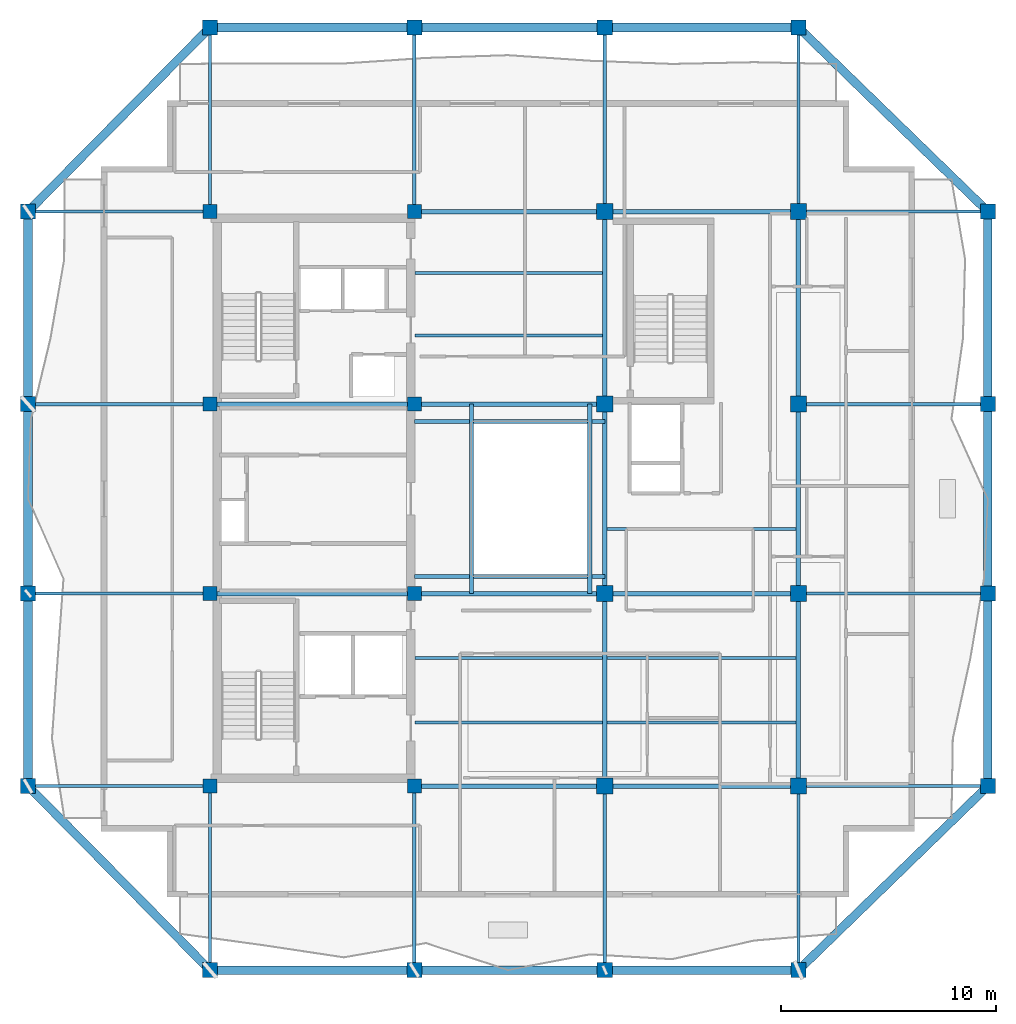
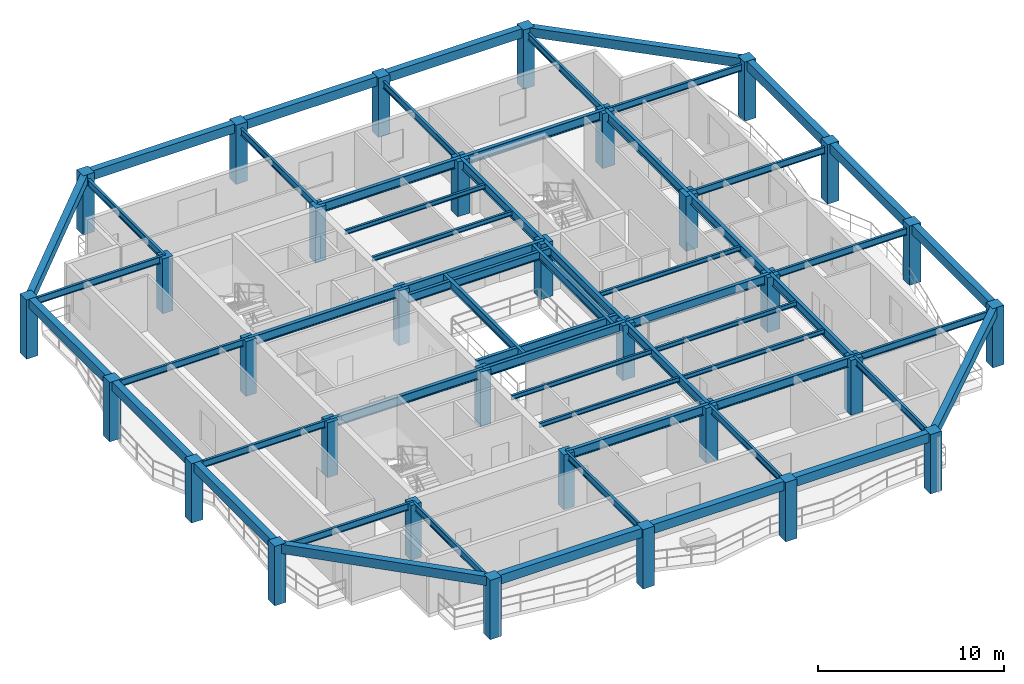
# One storey, part 1 of 10: 58 beams, 32 columns.
"""IFC4 building model written with IfcOpenShell, lengths in metres."""

from ifc_helpers import new_model, si_unit, direction, frame, origin, origin_2d, place, context, subcontext, project, spatial, rectangle, i_section, extrude, material, material_profile, profile_set, type_object, element, save


model = new_model("IFC4")

# Units and contexts
model_context = context("Model", 3, precision=1e-05, world=origin(), true_north=direction((0.0, 1.0)))
body_context = subcontext(model_context, "Body", "Model", "MODEL_VIEW")
ifc_project = project(units=[si_unit("LENGTHUNIT", "METRE"), si_unit("AREAUNIT", "SQUARE_METRE"), si_unit("VOLUMEUNIT", "CUBIC_METRE"), si_unit("PLANEANGLEUNIT", "RADIAN"), si_unit("MASSUNIT", "GRAM", prefix="KILO")], contexts=[model_context])

# Site, building, storey
site_placement = place(None, origin())
site = spatial("IfcSite", under=ifc_project, at=site_placement, CompositionType="ELEMENT")
building_placement = place(site_placement, origin())
building = spatial("IfcBuilding", under=site, at=building_placement, Name="Kundavana Baori Tower", CompositionType="ELEMENT")
storey_placement = place(building_placement, frame((0.0, 0.0, 303.800048828125)))
storey = spatial("IfcBuildingStorey", under=building, at=storey_placement, Name="L75", CompositionType="ELEMENT", Elevation=303.800048828125)

# Columns
ifc_material_1 = material(Name="Concrete C50/60", Category="concrete")
ifc_material_profile_1 = material_profile(ifc_material_1, rectangle(XDim=0.699951171875, YDim=0.699951171875, at=origin_2d()), Name="RC PF 700x700")
ifc_profile_set_1 = profile_set([ifc_material_profile_1], Name="Concrete C50/60")
column_type_1 = type_object("IfcColumnType", Name="COL-PF-700", PredefinedType="COLUMN", material=ifc_profile_set_1)
for number, where, z_axis, x_axis, name in (
    (1, (15.449951171875, 6.699951171875, 0.0), (0.0, 0.0, 1.0), (1.0, 0.0, 0.0), "L75 Stone-Clad Perimeter Frame Column PF-S1"),
    (2, (15.449951171875, 50.5, 0.0), (0.0, 0.0, 1.0), (1.0, 0.0, 0.0), "L75 Stone-Clad Perimeter Frame Column PF-N1"),
    (3, (24.949951171875, 6.699951171875, 0.0), (0.0, 0.0, 1.0), (1.0, 0.0, 0.0), "L75 Stone-Clad Perimeter Frame Column PF-S2"),
    (4, (24.949951171875, 50.5, 0.0), (0.0, 0.0, 1.0), (1.0, 0.0, 0.0), "L75 Stone-Clad Perimeter Frame Column PF-N2"),
    (5, (33.800048828125, 6.699951171875, 0.0), (0.0, 0.0, 1.0), (1.0, 0.0, 0.0), "L75 Stone-Clad Perimeter Frame Column PF-S3"),
    (6, (33.800048828125, 50.5, 0.0), (0.0, 0.0, 1.0), (1.0, 0.0, 0.0), "L75 Stone-Clad Perimeter Frame Column PF-N3"),
    (7, (42.800048828125, 6.699951171875, 0.0), (0.0, 0.0, 1.0), (1.0, 0.0, 0.0), "L75 Stone-Clad Perimeter Frame Column PF-S4"),
    (8, (42.800048828125, 50.5, 0.0), (0.0, 0.0, 1.0), (1.0, 0.0, 0.0), "L75 Stone-Clad Perimeter Frame Column PF-N4"),
    (9, (7.0, 15.25, 0.0), (0.0, 0.0, 1.0), (1.0, 0.0, 0.0), "L75 Stone-Clad Perimeter Frame Column PF-W1"),
    (10, (51.60009765625, 15.25, 0.0), (0.0, 0.0, 1.0), (1.0, 0.0, 0.0), "L75 Stone-Clad Perimeter Frame Column PF-E1"),
    (11, (7.0, 24.199951171875, 0.0), (0.0, 0.0, 1.0), (1.0, 0.0, 0.0), "L75 Stone-Clad Perimeter Frame Column PF-W2"),
    (12, (51.60009765625, 24.199951171875, 0.0), (0.0, 0.0, 1.0), (1.0, 0.0, 0.0), "L75 Stone-Clad Perimeter Frame Column PF-E2"),
    (13, (7.0, 33.0, 0.0), (0.0, 0.0, 1.0), (1.0, 0.0, 0.0), "L75 Stone-Clad Perimeter Frame Column PF-W3"),
    (14, (51.60009765625, 33.0, 0.0), (0.0, 0.0, 1.0), (1.0, 0.0, 0.0), "L75 Stone-Clad Perimeter Frame Column PF-E3"),
    (15, (7.0, 41.949951171875, 0.0), (0.0, 0.0, 1.0), (1.0, 0.0, 0.0), "L75 Stone-Clad Perimeter Frame Column PF-W4"),
    (16, (51.60009765625, 41.949951171875, 0.0), (0.0, 0.0, 1.0), (1.0, 0.0, 0.0), "L75 Stone-Clad Perimeter Frame Column PF-E4"),
):
    element("IfcColumn", number, at=place(storey_placement, frame(where, z_axis=z_axis, x_axis=x_axis)), inside=storey, type_object=column_type_1, Name=name, PredefinedType="COLUMN", context=body_context, shape_type="SweptSolid", body=[
        extrude(rectangle(XDim=0.699951171875, YDim=0.699951171875, at=origin_2d()), origin(), (0.0, 0.0, 1.0), 3.89990234375),
    ])
ifc_material_2 = material(Name="Concrete C50/60", Category="concrete")
ifc_material_profile_2 = material_profile(ifc_material_2, rectangle(XDim=0.64990234375, YDim=0.64990234375, at=origin_2d()), Name="RC 650x650")
ifc_profile_set_2 = profile_set([ifc_material_profile_2], Name="Concrete C50/60")
column_type_2 = type_object("IfcColumnType", Name="COL-RC-650", PredefinedType="COLUMN", material=ifc_profile_set_2)
for number, where, z_axis, x_axis, name in (
    (17, (15.449951171875, 15.25, 0.0), (0.0, 0.0, 1.0), (1.0, 0.0, 0.0), "L75 Interior Column IC-3C"),
    (18, (15.449951171875, 24.199951171875, 0.0), (0.0, 0.0, 1.0), (1.0, 0.0, 0.0), "L75 Interior Column IC-3D"),
    (19, (15.449951171875, 33.0, 0.0), (0.0, 0.0, 1.0), (1.0, 0.0, 0.0), "L75 Interior Column IC-3E"),
    (20, (15.449951171875, 41.949951171875, 0.0), (0.0, 0.0, 1.0), (1.0, 0.0, 0.0), "L75 Interior Column IC-3F"),
    (21, (24.949951171875, 15.25, 0.0), (0.0, 0.0, 1.0), (1.0, 0.0, 0.0), "L75 Interior Column IC-4C"),
    (22, (24.949951171875, 24.199951171875, 0.0), (0.0, 0.0, 1.0), (1.0, 0.0, 0.0), "L75 Interior Column IC-4D"),
    (23, (24.949951171875, 33.0, 0.0), (0.0, 0.0, 1.0), (1.0, 0.0, 0.0), "L75 Interior Column IC-4E"),
    (24, (24.949951171875, 41.949951171875, 0.0), (0.0, 0.0, 1.0), (1.0, 0.0, 0.0), "L75 Interior Column IC-4F"),
):
    element("IfcColumn", number, at=place(storey_placement, frame(where, z_axis=z_axis, x_axis=x_axis)), inside=storey, type_object=column_type_2, Name=name, PredefinedType="COLUMN", context=body_context, shape_type="SweptSolid", body=[
        extrude(rectangle(XDim=0.64990234375, YDim=0.64990234375, at=origin_2d()), origin(), (0.0, 0.0, 1.0), 3.599853515625),
    ])
ifc_material_3 = material(Name="Concrete C50/60", Category="concrete")
ifc_material_profile_3 = material_profile(ifc_material_3, rectangle(XDim=0.75, YDim=0.75, at=origin_2d()), Name="RC 750x750")
ifc_profile_set_3 = profile_set([ifc_material_profile_3], Name="Concrete C50/60")
column_type_3 = type_object("IfcColumnType", Name="COL-RC-750", PredefinedType="COLUMN", material=ifc_profile_set_3)
for number, where, z_axis, x_axis, name in (
    (25, (33.800048828125, 15.25, 0.0), (0.0, 0.0, 1.0), (1.0, 0.0, 0.0), "L75 Interior Column IC-5C"),
    (26, (33.800048828125, 24.199951171875, 0.0), (0.0, 0.0, 1.0), (1.0, 0.0, 0.0), "L75 Interior Column IC-5D"),
    (27, (33.800048828125, 33.0, 0.0), (0.0, 0.0, 1.0), (1.0, 0.0, 0.0), "L75 Interior Column IC-5E"),
    (28, (33.800048828125, 41.949951171875, 0.0), (0.0, 0.0, 1.0), (1.0, 0.0, 0.0), "L75 Interior Column IC-5F"),
    (29, (42.800048828125, 15.25, 0.0), (0.0, 0.0, 1.0), (1.0, 0.0, 0.0), "L75 Interior Column IC-6C"),
    (30, (42.800048828125, 24.199951171875, 0.0), (0.0, 0.0, 1.0), (1.0, 0.0, 0.0), "L75 Interior Column IC-6D"),
    (31, (42.800048828125, 33.0, 0.0), (0.0, 0.0, 1.0), (1.0, 0.0, 0.0), "L75 Interior Column IC-6E"),
    (32, (42.800048828125, 41.949951171875, 0.0), (0.0, 0.0, 1.0), (1.0, 0.0, 0.0), "L75 Interior Column IC-6F"),
):
    element("IfcColumn", number, at=place(storey_placement, frame(where, z_axis=z_axis, x_axis=x_axis)), inside=storey, type_object=column_type_3, Name=name, PredefinedType="COLUMN", context=body_context, shape_type="SweptSolid", body=[
        extrude(rectangle(XDim=0.75, YDim=0.75, at=origin_2d()), origin(), (0.0, 0.0, 1.0), 3.599853515625),
    ])

# Beams
ifc_material_4 = material(Name="Concrete C50/60", Category="concrete")
ifc_material_profile_4 = material_profile(ifc_material_4, rectangle(XDim=0.39990234375, YDim=0.60009765625, at=origin_2d()), Name="RC BM 400x600")
ifc_profile_set_4 = profile_set([ifc_material_profile_4], Name="Concrete C50/60")
beam_type_1 = type_object("IfcBeamType", Name="BM-PF-600", PredefinedType="SPANDREL", material=ifc_profile_set_4)
beam_1_placement = place(storey_placement, frame((15.449951171875, 6.699951171875, 3.599853515625), z_axis=(1.0, 0.0, 0.0), x_axis=(0.0, 1.0, 0.0)))
element("IfcBeam", 33, at=beam_1_placement, inside=storey, type_object=beam_type_1, Name="L75 Perimeter Frame Ring Beam S1", PredefinedType="SPANDREL", context=body_context, shape_type="SweptSolid", body=[
    extrude(rectangle(XDim=0.39990234375, YDim=0.60009765625, at=origin_2d()), origin(), (0.0, 0.0, 1.0), 9.5),
])
beam_2_placement = place(storey_placement, frame((24.949951171875, 6.699951171875, 3.599853515625), z_axis=(1.0, 0.0, 0.0), x_axis=(0.0, 1.0, 0.0)))
element("IfcBeam", 34, at=beam_2_placement, inside=storey, type_object=beam_type_1, Name="L75 Perimeter Frame Ring Beam S2", PredefinedType="SPANDREL", context=body_context, shape_type="SweptSolid", body=[
    extrude(rectangle(XDim=0.39990234375, YDim=0.60009765625, at=origin_2d()), origin(), (0.0, 0.0, 1.0), 8.85009765625),
])
beam_3_placement = place(storey_placement, frame((33.800048828125, 6.699951171875, 3.599853515625), z_axis=(1.0, 0.0, 0.0), x_axis=(0.0, 1.0, 0.0)))
element("IfcBeam", 35, at=beam_3_placement, inside=storey, type_object=beam_type_1, Name="L75 Perimeter Frame Ring Beam S3", PredefinedType="SPANDREL", context=body_context, shape_type="SweptSolid", body=[
    extrude(rectangle(XDim=0.39990234375, YDim=0.60009765625, at=origin_2d()), origin(), (0.0, 0.0, 1.0), 9.0),
])
beam_4_placement = place(storey_placement, frame((15.449951171875, 50.5, 3.599853515625), z_axis=(1.0, 0.0, 0.0), x_axis=(0.0, 1.0, 0.0)))
element("IfcBeam", 36, at=beam_4_placement, inside=storey, type_object=beam_type_1, Name="L75 Perimeter Frame Ring Beam N1", PredefinedType="SPANDREL", context=body_context, shape_type="SweptSolid", body=[
    extrude(rectangle(XDim=0.39990234375, YDim=0.60009765625, at=origin_2d()), origin(), (0.0, 0.0, 1.0), 9.5),
])
beam_5_placement = place(storey_placement, frame((24.949951171875, 50.5, 3.599853515625), z_axis=(1.0, 0.0, 0.0), x_axis=(0.0, 1.0, 0.0)))
element("IfcBeam", 37, at=beam_5_placement, inside=storey, type_object=beam_type_1, Name="L75 Perimeter Frame Ring Beam N2", PredefinedType="SPANDREL", context=body_context, shape_type="SweptSolid", body=[
    extrude(rectangle(XDim=0.39990234375, YDim=0.60009765625, at=origin_2d()), origin(), (0.0, 0.0, 1.0), 8.85009765625),
])
beam_6_placement = place(storey_placement, frame((33.800048828125, 50.5, 3.599853515625), z_axis=(1.0, 0.0, 0.0), x_axis=(0.0, 1.0, 0.0)))
element("IfcBeam", 38, at=beam_6_placement, inside=storey, type_object=beam_type_1, Name="L75 Perimeter Frame Ring Beam N3", PredefinedType="SPANDREL", context=body_context, shape_type="SweptSolid", body=[
    extrude(rectangle(XDim=0.39990234375, YDim=0.60009765625, at=origin_2d()), origin(), (0.0, 0.0, 1.0), 9.0),
])
beam_7_placement = place(storey_placement, frame((7.0, 15.25, 3.599853515625), z_axis=(0.0, 1.0, 0.0), x_axis=(-1.0, 0.0, 0.0)))
element("IfcBeam", 39, at=beam_7_placement, inside=storey, type_object=beam_type_1, Name="L75 Perimeter Frame Ring Beam W1", PredefinedType="SPANDREL", context=body_context, shape_type="SweptSolid", body=[
    extrude(rectangle(XDim=0.39990234375, YDim=0.60009765625, at=origin_2d()), origin(), (0.0, 0.0, 1.0), 8.949951171875),
])
beam_8_placement = place(storey_placement, frame((7.0, 24.199951171875, 3.599853515625), z_axis=(0.0, 1.0, 0.0), x_axis=(-1.0, 0.0, 0.0)))
element("IfcBeam", 40, at=beam_8_placement, inside=storey, type_object=beam_type_1, Name="L75 Perimeter Frame Ring Beam W2", PredefinedType="SPANDREL", context=body_context, shape_type="SweptSolid", body=[
    extrude(rectangle(XDim=0.39990234375, YDim=0.60009765625, at=origin_2d()), origin(), (0.0, 0.0, 1.0), 8.800048828125),
])
for number, where, z_axis, x_axis, name in (
    (41, (7.0, 33.0, 3.599853515625), (0.0, 1.0, 0.0), (-1.0, 0.0, 0.0), "L75 Perimeter Frame Ring Beam W3"),
    (42, (51.60009765625, 15.25, 3.599853515625), (0.0, 1.0, 0.0), (-1.0, 0.0, 0.0), "L75 Perimeter Frame Ring Beam E1"),
):
    element("IfcBeam", number, at=place(storey_placement, frame(where, z_axis=z_axis, x_axis=x_axis)), inside=storey, type_object=beam_type_1, Name=name, PredefinedType="SPANDREL", context=body_context, shape_type="SweptSolid", body=[
        extrude(rectangle(XDim=0.39990234375, YDim=0.60009765625, at=origin_2d()), origin(), (0.0, 0.0, 1.0), 8.949951171875),
    ])
beam_9_placement = place(storey_placement, frame((51.60009765625, 24.199951171875, 3.599853515625), z_axis=(0.0, 1.0, 0.0), x_axis=(-1.0, 0.0, 0.0)))
element("IfcBeam", 43, at=beam_9_placement, inside=storey, type_object=beam_type_1, Name="L75 Perimeter Frame Ring Beam E2", PredefinedType="SPANDREL", context=body_context, shape_type="SweptSolid", body=[
    extrude(rectangle(XDim=0.39990234375, YDim=0.60009765625, at=origin_2d()), origin(), (0.0, 0.0, 1.0), 8.800048828125),
])
beam_10_placement = place(storey_placement, frame((51.60009765625, 33.0, 3.599853515625), z_axis=(0.0, 1.0, 0.0), x_axis=(-1.0, 0.0, 0.0)))
element("IfcBeam", 44, at=beam_10_placement, inside=storey, type_object=beam_type_1, Name="L75 Perimeter Frame Ring Beam E3", PredefinedType="SPANDREL", context=body_context, shape_type="SweptSolid", body=[
    extrude(rectangle(XDim=0.39990234375, YDim=0.60009765625, at=origin_2d()), origin(), (0.0, 0.0, 1.0), 8.949951171875),
])
beam_11_placement = place(storey_placement, frame((15.449951171875, 6.699951171875, 3.599853515625), z_axis=(-0.702931082472, 0.711257965365, 0.0), x_axis=(-0.711257965365, -0.702931082472, 0.0)))
element("IfcBeam", 45, at=beam_11_placement, inside=storey, type_object=beam_type_1, Name="L75 Notched Corner Perimeter Beam SW", PredefinedType="SPANDREL", context=body_context, shape_type="SweptSolid", body=[
    extrude(rectangle(XDim=0.39990234375, YDim=0.60009765625, at=origin_2d()), origin(), (0.0, 0.0, 1.0), 12.02099609375),
])
beam_12_placement = place(storey_placement, frame((42.800048828125, 6.699951171875, 3.599853515625), z_axis=(0.717221130298, 0.696845643062, 0.0), x_axis=(-0.696845643062, 0.717221130298, 0.0)))
element("IfcBeam", 46, at=beam_12_placement, inside=storey, type_object=beam_type_1, Name="L75 Notched Corner Perimeter Beam SE", PredefinedType="SPANDREL", context=body_context, shape_type="SweptSolid", body=[
    extrude(rectangle(XDim=0.39990234375, YDim=0.60009765625, at=origin_2d()), origin(), (0.0, 0.0, 1.0), 12.26953125),
])
beam_13_placement = place(storey_placement, frame((15.449951171875, 50.5, 3.599853515625), z_axis=(-0.702931082472, -0.711257965365, 0.0), x_axis=(0.711257965365, -0.702931082472, 0.0)))
element("IfcBeam", 47, at=beam_13_placement, inside=storey, type_object=beam_type_1, Name="L75 Notched Corner Perimeter Beam NW", PredefinedType="SPANDREL", context=body_context, shape_type="SweptSolid", body=[
    extrude(rectangle(XDim=0.39990234375, YDim=0.60009765625, at=origin_2d()), origin(), (0.0, 0.0, 1.0), 12.02099609375),
])
beam_14_placement = place(storey_placement, frame((42.800048828125, 50.5, 3.599853515625), z_axis=(0.717221130298, -0.696845643062, 0.0), x_axis=(0.696845643062, 0.717221130298, 0.0)))
element("IfcBeam", 48, at=beam_14_placement, inside=storey, type_object=beam_type_1, Name="L75 Notched Corner Perimeter Beam NE", PredefinedType="SPANDREL", context=body_context, shape_type="SweptSolid", body=[
    extrude(rectangle(XDim=0.39990234375, YDim=0.60009765625, at=origin_2d()), origin(), (0.0, 0.0, 1.0), 12.26953125),
])
ifc_material_5 = material(Name="Structural Steel S355JR", Category="steel")
ifc_material_profile_5 = material_profile(ifc_material_5, i_section(OverallWidth=0.139892578125, OverallDepth=0.300048828125, WebThickness=0.0078125, FlangeThickness=0.01318359375, FilletRadius=0.013916015625, at=origin_2d()), Name="ISMB 300")
ifc_profile_set_5 = profile_set([ifc_material_profile_5], Name="Structural Steel S355JR")
beam_type_2 = type_object("IfcBeamType", Name="BM-RF-300", PredefinedType="BEAM", material=ifc_profile_set_5)
for number, where, z_axis, x_axis, name in (
    (49, (24.97998046875, 18.199951171875, 3.449951171875), (1.0, 0.0, 0.0), (0.0, 1.0, 0.0), "L75 Central Bay Composite Floor Joist C1"),
    (50, (24.97998046875, 21.199951171875, 3.449951171875), (1.0, 0.0, 0.0), (0.0, 1.0, 0.0), "L75 Central Bay Composite Floor Joist C2"),
    (51, (24.97998046875, 36.199951171875, 3.449951171875), (1.0, 0.0, 0.0), (0.0, 1.0, 0.0), "L75 Central Bay Composite Floor Joist C3"),
    (52, (24.97998046875, 39.10009765625, 3.449951171875), (1.0, 0.0, 0.0), (0.0, 1.0, 0.0), "L75 Central Bay Composite Floor Joist C4"),
):
    element("IfcBeam", number, at=place(storey_placement, frame(where, z_axis=z_axis, x_axis=x_axis)), inside=storey, type_object=beam_type_2, Name=name, PredefinedType="BEAM", context=body_context, shape_type="SweptSolid", body=[
        extrude(i_section(OverallWidth=0.139892578125, OverallDepth=0.300048828125, WebThickness=0.0078125, FlangeThickness=0.01318359375, FilletRadius=0.013916015625, at=origin_2d()), origin(), (0.0, 0.0, 1.0), 8.715087890625),
    ])
for number, where, z_axis, x_axis, name in (
    (53, (33.905029296875, 18.199951171875, 3.449951171875), (1.0, 0.0, 0.0), (0.0, 1.0, 0.0), "L75 East Bay Composite Floor Joist E1"),
    (54, (33.905029296875, 21.199951171875, 3.449951171875), (1.0, 0.0, 0.0), (0.0, 1.0, 0.0), "L75 East Bay Composite Floor Joist E2"),
    (55, (33.905029296875, 27.199951171875, 3.449951171875), (1.0, 0.0, 0.0), (0.0, 1.0, 0.0), "L75 East Bay Composite Floor Joist E3"),
):
    element("IfcBeam", number, at=place(storey_placement, frame(where, z_axis=z_axis, x_axis=x_axis)), inside=storey, type_object=beam_type_2, Name=name, PredefinedType="BEAM", context=body_context, shape_type="SweptSolid", body=[
        extrude(i_section(OverallWidth=0.139892578125, OverallDepth=0.300048828125, WebThickness=0.0078125, FlangeThickness=0.01318359375, FilletRadius=0.013916015625, at=origin_2d()), origin(), (0.0, 0.0, 1.0), 8.7900390625),
    ])
ifc_material_6 = material(Name="Structural Steel S355JR", Category="steel")
ifc_material_profile_6 = material_profile(ifc_material_6, i_section(OverallWidth=0.18994140625, OverallDepth=0.550048828125, WebThickness=0.01123046875, FlangeThickness=0.019287109375, FilletRadius=0.01806640625, at=origin_2d()), Name="ISMB 550")
ifc_profile_set_6 = profile_set([ifc_material_profile_6], Name="Structural Steel S355JR")
beam_type_3 = type_object("IfcBeamType", Name="BM-ST-550", PredefinedType="BEAM", material=ifc_profile_set_6)
for number, where, z_axis, x_axis, name in (
    (56, (27.60009765625, 24.199951171875, 3.324951171875), (0.0, 1.0, 0.0), (-1.0, 0.0, 0.0), "L75 Atrium West Edge Beam"),
    (57, (33.10009765625, 24.199951171875, 3.324951171875), (0.0, 1.0, 0.0), (-1.0, 0.0, 0.0), "L75 Atrium East Edge Beam"),
):
    element("IfcBeam", number, at=place(storey_placement, frame(where, z_axis=z_axis, x_axis=x_axis)), inside=storey, type_object=beam_type_3, Name=name, PredefinedType="BEAM", context=body_context, shape_type="SweptSolid", body=[
        extrude(i_section(OverallWidth=0.18994140625, OverallDepth=0.550048828125, WebThickness=0.01123046875, FlangeThickness=0.019287109375, FilletRadius=0.01806640625, at=origin_2d()), origin(), (0.0, 0.0, 1.0), 8.800048828125),
    ])
for number, where, z_axis, x_axis, name in (
    (58, (24.949951171875, 25.0, 3.324951171875), (1.0, 0.0, 0.0), (0.0, 1.0, 0.0), "L75 Atrium South Edge Beam"),
    (59, (24.949951171875, 32.199951171875, 3.324951171875), (1.0, 0.0, 0.0), (0.0, 1.0, 0.0), "L75 Atrium North Edge Beam"),
):
    element("IfcBeam", number, at=place(storey_placement, frame(where, z_axis=z_axis, x_axis=x_axis)), inside=storey, type_object=beam_type_3, Name=name, PredefinedType="BEAM", context=body_context, shape_type="SweptSolid", body=[
        extrude(i_section(OverallWidth=0.18994140625, OverallDepth=0.550048828125, WebThickness=0.01123046875, FlangeThickness=0.019287109375, FilletRadius=0.01806640625, at=origin_2d()), origin(), (0.0, 0.0, 1.0), 8.85009765625),
    ])
ifc_material_7 = material(Name="Structural Steel S355JR", Category="steel")
ifc_material_profile_7 = material_profile(ifc_material_7, i_section(OverallWidth=0.2099609375, OverallDepth=0.60009765625, WebThickness=0.011962890625, FlangeThickness=0.020751953125, FilletRadius=0.02001953125, at=origin_2d()), Name="ISMB 600")
ifc_profile_set_7 = profile_set([ifc_material_profile_7], Name="Structural Steel S355JR")
beam_type_4 = type_object("IfcBeamType", Name="BM-ST-600", PredefinedType="BEAM", material=ifc_profile_set_7)
beam_15_placement = place(storey_placement, frame((24.949951171875, 15.25, 3.300048828125), z_axis=(1.0, 0.0, 0.0), x_axis=(0.0, 1.0, 0.0)))
element("IfcBeam", 60, at=beam_15_placement, inside=storey, type_object=beam_type_4, Name="L75 Primary Grid Girder GX-1-2", PredefinedType="BEAM", context=body_context, shape_type="SweptSolid", body=[
    extrude(i_section(OverallWidth=0.2099609375, OverallDepth=0.60009765625, WebThickness=0.011962890625, FlangeThickness=0.020751953125, FilletRadius=0.02001953125, at=origin_2d()), origin(), (0.0, 0.0, 1.0), 8.85009765625),
])
beam_16_placement = place(storey_placement, frame((33.800048828125, 15.25, 3.300048828125), z_axis=(1.0, 0.0, 0.0), x_axis=(0.0, 1.0, 0.0)))
element("IfcBeam", 61, at=beam_16_placement, inside=storey, type_object=beam_type_4, Name="L75 Primary Grid Girder GX-1-3", PredefinedType="BEAM", context=body_context, shape_type="SweptSolid", body=[
    extrude(i_section(OverallWidth=0.2099609375, OverallDepth=0.60009765625, WebThickness=0.011962890625, FlangeThickness=0.020751953125, FilletRadius=0.02001953125, at=origin_2d()), origin(), (0.0, 0.0, 1.0), 9.0),
])
beam_17_placement = place(storey_placement, frame((15.449951171875, 24.199951171875, 3.300048828125), z_axis=(1.0, 0.0, 0.0), x_axis=(0.0, 1.0, 0.0)))
element("IfcBeam", 62, at=beam_17_placement, inside=storey, type_object=beam_type_4, Name="L75 Primary Grid Girder GX-2-1", PredefinedType="BEAM", context=body_context, shape_type="SweptSolid", body=[
    extrude(i_section(OverallWidth=0.2099609375, OverallDepth=0.60009765625, WebThickness=0.011962890625, FlangeThickness=0.020751953125, FilletRadius=0.02001953125, at=origin_2d()), origin(), (0.0, 0.0, 1.0), 9.5),
])
beam_18_placement = place(storey_placement, frame((24.949951171875, 24.199951171875, 3.300048828125), z_axis=(1.0, 0.0, 0.0), x_axis=(0.0, 1.0, 0.0)))
element("IfcBeam", 63, at=beam_18_placement, inside=storey, type_object=beam_type_4, Name="L75 Primary Grid Girder GX-2-2", PredefinedType="BEAM", context=body_context, shape_type="SweptSolid", body=[
    extrude(i_section(OverallWidth=0.2099609375, OverallDepth=0.60009765625, WebThickness=0.011962890625, FlangeThickness=0.020751953125, FilletRadius=0.02001953125, at=origin_2d()), origin(), (0.0, 0.0, 1.0), 8.85009765625),
])
beam_19_placement = place(storey_placement, frame((33.800048828125, 24.199951171875, 3.300048828125), z_axis=(1.0, 0.0, 0.0), x_axis=(0.0, 1.0, 0.0)))
element("IfcBeam", 64, at=beam_19_placement, inside=storey, type_object=beam_type_4, Name="L75 Primary Grid Girder GX-2-3", PredefinedType="BEAM", context=body_context, shape_type="SweptSolid", body=[
    extrude(i_section(OverallWidth=0.2099609375, OverallDepth=0.60009765625, WebThickness=0.011962890625, FlangeThickness=0.020751953125, FilletRadius=0.02001953125, at=origin_2d()), origin(), (0.0, 0.0, 1.0), 9.0),
])
beam_20_placement = place(storey_placement, frame((15.449951171875, 33.0, 3.300048828125), z_axis=(1.0, 0.0, 0.0), x_axis=(0.0, 1.0, 0.0)))
element("IfcBeam", 65, at=beam_20_placement, inside=storey, type_object=beam_type_4, Name="L75 Primary Grid Girder GX-3-1", PredefinedType="BEAM", context=body_context, shape_type="SweptSolid", body=[
    extrude(i_section(OverallWidth=0.2099609375, OverallDepth=0.60009765625, WebThickness=0.011962890625, FlangeThickness=0.020751953125, FilletRadius=0.02001953125, at=origin_2d()), origin(), (0.0, 0.0, 1.0), 9.5),
])
for number, where, z_axis, x_axis, name in (
    (66, (24.949951171875, 33.0, 3.300048828125), (1.0, 0.0, 0.0), (0.0, 1.0, 0.0), "L75 Primary Grid Girder GX-3-2"),
    (67, (24.949951171875, 41.949951171875, 3.300048828125), (1.0, 0.0, 0.0), (0.0, 1.0, 0.0), "L75 Primary Grid Girder GX-4-2"),
):
    element("IfcBeam", number, at=place(storey_placement, frame(where, z_axis=z_axis, x_axis=x_axis)), inside=storey, type_object=beam_type_4, Name=name, PredefinedType="BEAM", context=body_context, shape_type="SweptSolid", body=[
        extrude(i_section(OverallWidth=0.2099609375, OverallDepth=0.60009765625, WebThickness=0.011962890625, FlangeThickness=0.020751953125, FilletRadius=0.02001953125, at=origin_2d()), origin(), (0.0, 0.0, 1.0), 8.85009765625),
    ])
beam_21_placement = place(storey_placement, frame((33.800048828125, 41.949951171875, 3.300048828125), z_axis=(1.0, 0.0, 0.0), x_axis=(0.0, 1.0, 0.0)))
element("IfcBeam", 68, at=beam_21_placement, inside=storey, type_object=beam_type_4, Name="L75 Primary Grid Girder GX-4-3", PredefinedType="BEAM", context=body_context, shape_type="SweptSolid", body=[
    extrude(i_section(OverallWidth=0.2099609375, OverallDepth=0.60009765625, WebThickness=0.011962890625, FlangeThickness=0.020751953125, FilletRadius=0.02001953125, at=origin_2d()), origin(), (0.0, 0.0, 1.0), 9.0),
])
beam_22_placement = place(storey_placement, frame((33.800048828125, 15.25, 3.300048828125), z_axis=(0.0, 1.0, 0.0), x_axis=(-1.0, 0.0, 0.0)))
element("IfcBeam", 69, at=beam_22_placement, inside=storey, type_object=beam_type_4, Name="L75 Primary Grid Girder GY-3-1", PredefinedType="BEAM", context=body_context, shape_type="SweptSolid", body=[
    extrude(i_section(OverallWidth=0.2099609375, OverallDepth=0.60009765625, WebThickness=0.011962890625, FlangeThickness=0.020751953125, FilletRadius=0.02001953125, at=origin_2d()), origin(), (0.0, 0.0, 1.0), 8.949951171875),
])
beam_23_placement = place(storey_placement, frame((33.800048828125, 24.199951171875, 3.300048828125), z_axis=(0.0, 1.0, 0.0), x_axis=(-1.0, 0.0, 0.0)))
element("IfcBeam", 70, at=beam_23_placement, inside=storey, type_object=beam_type_4, Name="L75 Primary Grid Girder GY-3-2", PredefinedType="BEAM", context=body_context, shape_type="SweptSolid", body=[
    extrude(i_section(OverallWidth=0.2099609375, OverallDepth=0.60009765625, WebThickness=0.011962890625, FlangeThickness=0.020751953125, FilletRadius=0.02001953125, at=origin_2d()), origin(), (0.0, 0.0, 1.0), 8.800048828125),
])
for number, where, z_axis, x_axis, name in (
    (71, (33.800048828125, 33.0, 3.300048828125), (0.0, 1.0, 0.0), (-1.0, 0.0, 0.0), "L75 Primary Grid Girder GY-3-3"),
    (72, (42.800048828125, 15.25, 3.300048828125), (0.0, 1.0, 0.0), (-1.0, 0.0, 0.0), "L75 Primary Grid Girder GY-4-1"),
):
    element("IfcBeam", number, at=place(storey_placement, frame(where, z_axis=z_axis, x_axis=x_axis)), inside=storey, type_object=beam_type_4, Name=name, PredefinedType="BEAM", context=body_context, shape_type="SweptSolid", body=[
        extrude(i_section(OverallWidth=0.2099609375, OverallDepth=0.60009765625, WebThickness=0.011962890625, FlangeThickness=0.020751953125, FilletRadius=0.02001953125, at=origin_2d()), origin(), (0.0, 0.0, 1.0), 8.949951171875),
    ])
beam_24_placement = place(storey_placement, frame((42.800048828125, 24.199951171875, 3.300048828125), z_axis=(0.0, 1.0, 0.0), x_axis=(-1.0, 0.0, 0.0)))
element("IfcBeam", 73, at=beam_24_placement, inside=storey, type_object=beam_type_4, Name="L75 Primary Grid Girder GY-4-2", PredefinedType="BEAM", context=body_context, shape_type="SweptSolid", body=[
    extrude(i_section(OverallWidth=0.2099609375, OverallDepth=0.60009765625, WebThickness=0.011962890625, FlangeThickness=0.020751953125, FilletRadius=0.02001953125, at=origin_2d()), origin(), (0.0, 0.0, 1.0), 8.800048828125),
])
beam_25_placement = place(storey_placement, frame((42.800048828125, 33.0, 3.300048828125), z_axis=(0.0, 1.0, 0.0), x_axis=(-1.0, 0.0, 0.0)))
element("IfcBeam", 74, at=beam_25_placement, inside=storey, type_object=beam_type_4, Name="L75 Primary Grid Girder GY-4-3", PredefinedType="BEAM", context=body_context, shape_type="SweptSolid", body=[
    extrude(i_section(OverallWidth=0.2099609375, OverallDepth=0.60009765625, WebThickness=0.011962890625, FlangeThickness=0.020751953125, FilletRadius=0.02001953125, at=origin_2d()), origin(), (0.0, 0.0, 1.0), 8.949951171875),
])
ifc_material_8 = material(Name="Structural Steel S355JR", Category="steel")
ifc_material_profile_8 = material_profile(ifc_material_8, i_section(OverallWidth=0.14990234375, OverallDepth=0.449951171875, WebThickness=0.009521484375, FlangeThickness=0.017333984375, FilletRadius=0.014892578125, at=origin_2d()), Name="ISMB 450")
ifc_profile_set_8 = profile_set([ifc_material_profile_8], Name="Structural Steel S355JR")
beam_type_5 = type_object("IfcBeamType", Name="BM-TIE-450", PredefinedType="BEAM", material=ifc_profile_set_8)
for number, where, z_axis, x_axis, name in (
    (75, (15.449951171875, 15.25, 3.375), (0.0, -1.0, 0.0), (1.0, 0.0, 0.0), "L75 South Radial Loggia Tie Beam S1"),
    (76, (15.449951171875, 41.949951171875, 3.375), (0.0, 1.0, 0.0), (-1.0, 0.0, 0.0), "L75 North Radial Loggia Tie Beam N1"),
    (77, (24.949951171875, 15.25, 3.375), (0.0, -1.0, 0.0), (1.0, 0.0, 0.0), "L75 South Radial Loggia Tie Beam S2"),
    (78, (24.949951171875, 41.949951171875, 3.375), (0.0, 1.0, 0.0), (-1.0, 0.0, 0.0), "L75 North Radial Loggia Tie Beam N2"),
    (79, (33.800048828125, 15.25, 3.375), (0.0, -1.0, 0.0), (1.0, 0.0, 0.0), "L75 South Radial Loggia Tie Beam S3"),
    (80, (33.800048828125, 41.949951171875, 3.375), (0.0, 1.0, 0.0), (-1.0, 0.0, 0.0), "L75 North Radial Loggia Tie Beam N3"),
    (81, (42.800048828125, 15.25, 3.375), (0.0, -1.0, 0.0), (1.0, 0.0, 0.0), "L75 South Radial Loggia Tie Beam S4"),
    (82, (42.800048828125, 41.949951171875, 3.375), (0.0, 1.0, 0.0), (-1.0, 0.0, 0.0), "L75 North Radial Loggia Tie Beam N4"),
):
    element("IfcBeam", number, at=place(storey_placement, frame(where, z_axis=z_axis, x_axis=x_axis)), inside=storey, type_object=beam_type_5, Name=name, PredefinedType="BEAM", context=body_context, shape_type="SweptSolid", body=[
        extrude(i_section(OverallWidth=0.14990234375, OverallDepth=0.449951171875, WebThickness=0.009521484375, FlangeThickness=0.017333984375, FilletRadius=0.014892578125, at=origin_2d()), origin(), (0.0, 0.0, 1.0), 8.550048828125),
    ])
beam_26_placement = place(storey_placement, frame((15.449951171875, 15.25, 3.375), z_axis=(-1.0, 0.0, 0.0), x_axis=(0.0, -1.0, 0.0)))
element("IfcBeam", 83, at=beam_26_placement, inside=storey, type_object=beam_type_5, Name="L75 West Radial Loggia Tie Beam W1", PredefinedType="BEAM", context=body_context, shape_type="SweptSolid", body=[
    extrude(i_section(OverallWidth=0.14990234375, OverallDepth=0.449951171875, WebThickness=0.009521484375, FlangeThickness=0.017333984375, FilletRadius=0.014892578125, at=origin_2d()), origin(), (0.0, 0.0, 1.0), 8.449951171875),
])
beam_27_placement = place(storey_placement, frame((42.800048828125, 15.25, 3.375), z_axis=(1.0, 0.0, 0.0), x_axis=(0.0, 1.0, 0.0)))
element("IfcBeam", 84, at=beam_27_placement, inside=storey, type_object=beam_type_5, Name="L75 East Radial Loggia Tie Beam E1", PredefinedType="BEAM", context=body_context, shape_type="SweptSolid", body=[
    extrude(i_section(OverallWidth=0.14990234375, OverallDepth=0.449951171875, WebThickness=0.009521484375, FlangeThickness=0.017333984375, FilletRadius=0.014892578125, at=origin_2d()), origin(), (0.0, 0.0, 1.0), 8.800048828125),
])
beam_28_placement = place(storey_placement, frame((15.449951171875, 24.199951171875, 3.375), z_axis=(-1.0, 0.0, 0.0), x_axis=(0.0, -1.0, 0.0)))
element("IfcBeam", 85, at=beam_28_placement, inside=storey, type_object=beam_type_5, Name="L75 West Radial Loggia Tie Beam W2", PredefinedType="BEAM", context=body_context, shape_type="SweptSolid", body=[
    extrude(i_section(OverallWidth=0.14990234375, OverallDepth=0.449951171875, WebThickness=0.009521484375, FlangeThickness=0.017333984375, FilletRadius=0.014892578125, at=origin_2d()), origin(), (0.0, 0.0, 1.0), 8.449951171875),
])
beam_29_placement = place(storey_placement, frame((42.800048828125, 24.199951171875, 3.375), z_axis=(1.0, 0.0, 0.0), x_axis=(0.0, 1.0, 0.0)))
element("IfcBeam", 86, at=beam_29_placement, inside=storey, type_object=beam_type_5, Name="L75 East Radial Loggia Tie Beam E2", PredefinedType="BEAM", context=body_context, shape_type="SweptSolid", body=[
    extrude(i_section(OverallWidth=0.14990234375, OverallDepth=0.449951171875, WebThickness=0.009521484375, FlangeThickness=0.017333984375, FilletRadius=0.014892578125, at=origin_2d()), origin(), (0.0, 0.0, 1.0), 8.800048828125),
])
beam_30_placement = place(storey_placement, frame((15.449951171875, 33.0, 3.375), z_axis=(-1.0, 0.0, 0.0), x_axis=(0.0, -1.0, 0.0)))
element("IfcBeam", 87, at=beam_30_placement, inside=storey, type_object=beam_type_5, Name="L75 West Radial Loggia Tie Beam W3", PredefinedType="BEAM", context=body_context, shape_type="SweptSolid", body=[
    extrude(i_section(OverallWidth=0.14990234375, OverallDepth=0.449951171875, WebThickness=0.009521484375, FlangeThickness=0.017333984375, FilletRadius=0.014892578125, at=origin_2d()), origin(), (0.0, 0.0, 1.0), 8.449951171875),
])
beam_31_placement = place(storey_placement, frame((42.800048828125, 33.0, 3.375), z_axis=(1.0, 0.0, 0.0), x_axis=(0.0, 1.0, 0.0)))
element("IfcBeam", 88, at=beam_31_placement, inside=storey, type_object=beam_type_5, Name="L75 East Radial Loggia Tie Beam E3", PredefinedType="BEAM", context=body_context, shape_type="SweptSolid", body=[
    extrude(i_section(OverallWidth=0.14990234375, OverallDepth=0.449951171875, WebThickness=0.009521484375, FlangeThickness=0.017333984375, FilletRadius=0.014892578125, at=origin_2d()), origin(), (0.0, 0.0, 1.0), 8.800048828125),
])
beam_32_placement = place(storey_placement, frame((15.449951171875, 41.949951171875, 3.375), z_axis=(-1.0, 0.0, 0.0), x_axis=(0.0, -1.0, 0.0)))
element("IfcBeam", 89, at=beam_32_placement, inside=storey, type_object=beam_type_5, Name="L75 West Radial Loggia Tie Beam W4", PredefinedType="BEAM", context=body_context, shape_type="SweptSolid", body=[
    extrude(i_section(OverallWidth=0.14990234375, OverallDepth=0.449951171875, WebThickness=0.009521484375, FlangeThickness=0.017333984375, FilletRadius=0.014892578125, at=origin_2d()), origin(), (0.0, 0.0, 1.0), 8.449951171875),
])
beam_33_placement = place(storey_placement, frame((42.800048828125, 41.949951171875, 3.375), z_axis=(1.0, 0.0, 0.0), x_axis=(0.0, 1.0, 0.0)))
element("IfcBeam", 90, at=beam_33_placement, inside=storey, type_object=beam_type_5, Name="L75 East Radial Loggia Tie Beam E4", PredefinedType="BEAM", context=body_context, shape_type="SweptSolid", body=[
    extrude(i_section(OverallWidth=0.14990234375, OverallDepth=0.449951171875, WebThickness=0.009521484375, FlangeThickness=0.017333984375, FilletRadius=0.014892578125, at=origin_2d()), origin(), (0.0, 0.0, 1.0), 8.800048828125),
])

save(model, "model.ifc")
